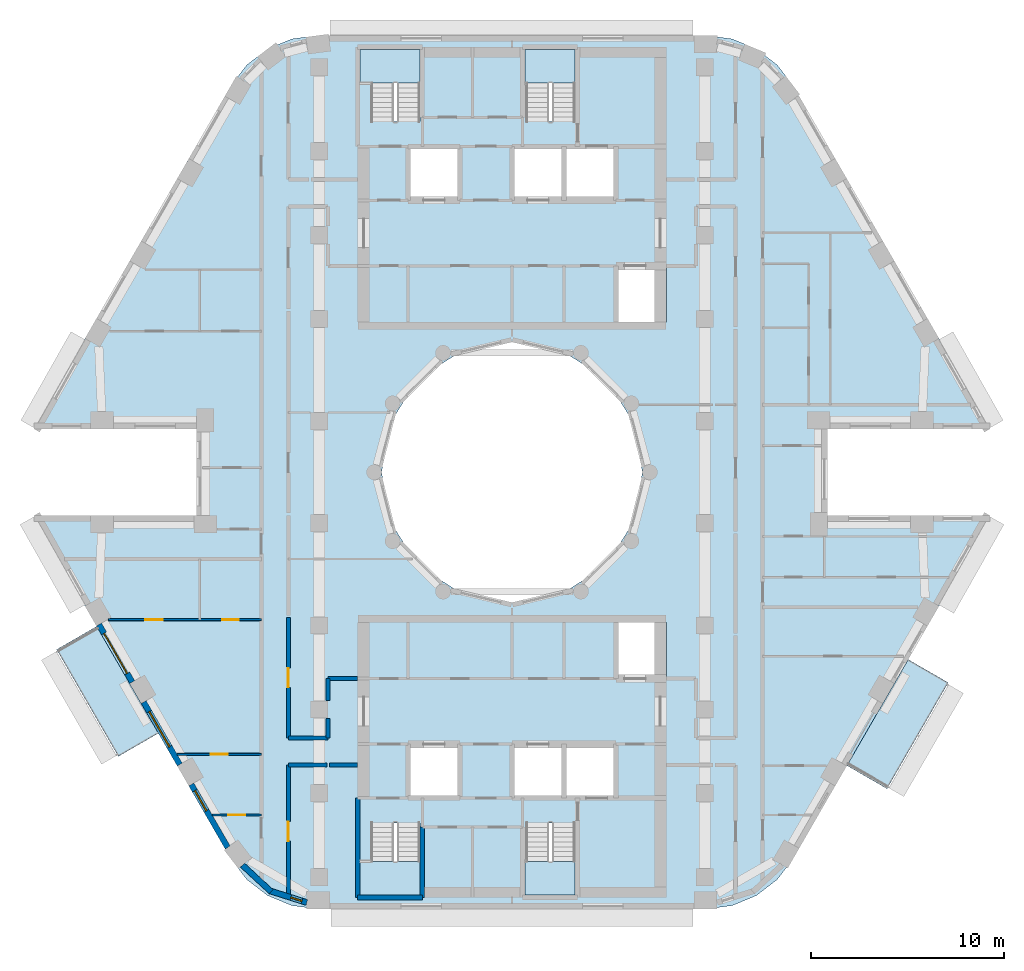
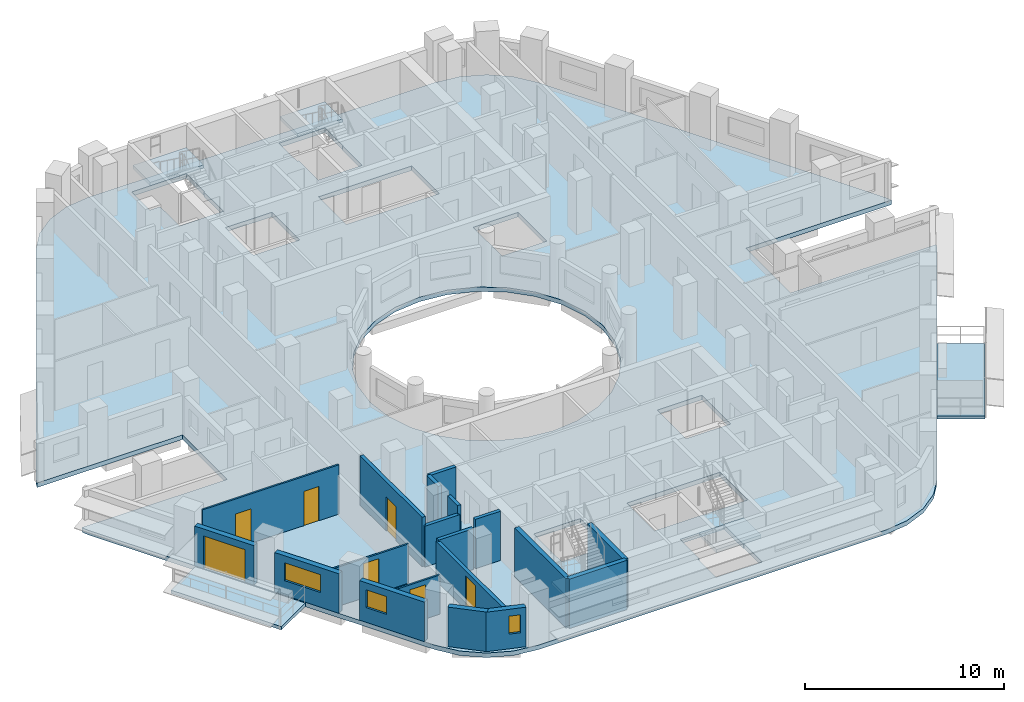
# One storey, part 2 of 16: 19 walls, 7 doors, 7 slabs, 3 windows, 10 openings, 4 elements without a shape of their own.
"""IFC4 building model written with IfcOpenShell, lengths in metres."""

from ifc_helpers import new_model, si_unit, direction, frame, frame_2d, origin, place, context, subcontext, project, spatial, polyline, rectangle, outline, extrude, material, layer, layer_set, type_object, element, fill, aggregate, save


model = new_model("IFC4")

# Units and contexts
model_context = context("Model", 3, precision=1e-05, world=origin(), true_north=direction((0.0, 1.0)))
body_context = subcontext(model_context, "Body", "Model", "MODEL_VIEW")
ifc_project = project(units=[si_unit("LENGTHUNIT", "METRE"), si_unit("AREAUNIT", "SQUARE_METRE"), si_unit("VOLUMEUNIT", "CUBIC_METRE"), si_unit("PLANEANGLEUNIT", "RADIAN"), si_unit("MASSUNIT", "GRAM", prefix="KILO")], contexts=[model_context])

# Site, building, storey
site_placement = place(None, origin())
site = spatial("IfcSite", under=ifc_project, at=site_placement, CompositionType="ELEMENT")
building_placement = place(site_placement, origin())
building = spatial("IfcBuilding", under=site, at=building_placement, Name="Nakaniwa Court", CompositionType="ELEMENT")
storey_placement = place(building_placement, frame((0.0, 0.0, 193.199951171875)))
storey = spatial("IfcBuildingStorey", under=building, at=storey_placement, Name="L50", CompositionType="ELEMENT", Elevation=193.199951171875)

# Slabs
ifc_material_1 = material(Name="Charcoal ceramic paver")
ifc_layer_1 = layer(ifc_material_1, 0.02, Name="Ceramic paver")
ifc_material_2 = material(Name="Cement sand screed")
ifc_layer_2 = layer(ifc_material_2, 0.03, Name="Falls screed")
ifc_material_3 = material(Name="Concrete C40/50", Category="concrete")
ifc_layer_3 = layer(ifc_material_3, 0.15, Name="Balcony slab")
ifc_layer_set_1 = layer_set([ifc_layer_1, ifc_layer_2, ifc_layer_3], Name="Concrete C40/50 balcony slab with ceramic paver finish")
slab_type_1 = type_object("IfcSlabType", Name="Balcony slab 200", PredefinedType="FLOOR", material=ifc_layer_set_1)
slab_1_placement = place(storey_placement, frame((0.0, 0.0, -0.25)))
element("IfcSlab", 1, at=slab_1_placement, inside=storey, type_object=slab_type_1, Name="L50 balcony 01", PredefinedType="FLOOR", context=body_context, shape_type="SweptSolid", body=[
    extrude(outline(polyline([(58.46142578125, 72.005859375), (61.660888671875, 66.464111328125), (59.58251953125, 65.26416015625), (56.383056640625, 70.805908203125), (58.46142578125, 72.005859375)])), origin(), (0.0, 0.0, 1.0), 0.199951171875),
])
slab_2_placement = place(storey_placement, frame((0.0, 0.0, -0.25)))
element("IfcSlab", 2, at=slab_2_placement, inside=storey, type_object=slab_type_1, Name="L50 balcony 02", PredefinedType="FLOOR", context=body_context, shape_type="SweptSolid", body=[
    extrude(outline(polyline([(97.370849609375, 64.787353515625), (100.546875, 70.287841796875), (102.625244140625, 69.087890625), (99.44921875, 63.58740234375), (97.370849609375, 64.787353515625)])), origin(), (0.0, 0.0, 1.0), 0.199951171875),
])
ifc_material_4 = material(Name="Concrete C80/100", Category="concrete")
ifc_layer_4 = layer(ifc_material_4, 0.27490234375)
ifc_layer_set_2 = layer_set([ifc_layer_4], Name="Concrete C80/100")
slab_type_2 = type_object("IfcSlabType", Name="Concrete C80/100 post tensioned floor slab 275", PredefinedType="FLOOR", material=ifc_layer_set_2)
slab_3_placement = place(storey_placement, frame((0.0, 0.0, -0.27490234375)))
element("IfcSlab", 3, at=slab_3_placement, inside=storey, type_object=slab_type_2, Name="FLOOR SLAB", PredefinedType="FLOOR", context=body_context, shape_type="SweptSolid", body=[
    extrude(outline(polyline([(96.349609375, 82.25), (104.7978515625, 82.25), (104.65283203125, 82.60009765625), (94.578125, 100.050048828125), (93.751708984375, 101.126953125), (92.6748046875, 101.953369140625), (91.420654296875, 102.472900390625), (90.07470703125, 102.64990234375), (69.92529296875, 102.64990234375), (68.579345703125, 102.472900390625), (67.3251953125, 101.953369140625), (66.248291015625, 101.126953125), (65.421875, 100.050048828125), (55.34716796875, 82.60009765625), (55.2021484375, 82.25), (63.650390625, 82.25), (63.650390625, 77.75), (55.2021484375, 77.75), (55.34716796875, 77.39990234375), (65.421875, 59.949951171875), (66.248291015625, 58.873046875), (67.3251953125, 58.046630859375), (68.579345703125, 57.527099609375), (69.92529296875, 57.35009765625), (90.07470703125, 57.35009765625), (91.420654296875, 57.527099609375), (92.6748046875, 58.046630859375), (93.751708984375, 58.873046875), (94.578125, 59.949951171875), (104.65283203125, 77.39990234375), (104.7978515625, 77.75), (96.349609375, 77.75), (96.349609375, 82.25)]), holes=[polyline([(81.501953125, 86.580810546875), (80.0, 86.75), (78.498046875, 86.580810546875), (77.0712890625, 86.08154296875), (75.79150390625, 85.27734375), (74.72265625, 84.20849609375), (73.91845703125, 82.9287109375), (73.419189453125, 81.501953125), (73.25, 80.0), (73.419189453125, 78.498046875), (73.91845703125, 77.0712890625), (74.72265625, 75.79150390625), (75.79150390625, 74.72265625), (77.0712890625, 73.91845703125), (78.498046875, 73.419189453125), (80.0, 73.25), (81.501953125, 73.419189453125), (82.9287109375, 73.91845703125), (84.20849609375, 74.72265625), (85.27734375, 75.79150390625), (86.08154296875, 77.0712890625), (86.580810546875, 78.498046875), (86.75, 80.0), (86.580810546875, 81.501953125), (86.08154296875, 82.9287109375), (85.27734375, 84.20849609375), (84.20849609375, 85.27734375), (82.9287109375, 86.08154296875), (81.501953125, 86.580810546875)]), polyline([(72.675048828125, 61.81005859375), (72.675048828125, 59.864990234375), (72.0849609375, 59.864990234375), (72.0849609375, 58.034912109375), (75.264892578125, 58.034912109375), (75.264892578125, 59.864990234375), (75.22509765625, 59.864990234375), (75.22509765625, 61.81005859375), (72.675048828125, 61.81005859375)]), polyline([(77.300048828125, 65.89990234375), (74.60009765625, 65.89990234375), (74.60009765625, 63.10009765625), (77.300048828125, 63.10009765625), (77.300048828125, 65.89990234375)]), polyline([(80.0, 65.89990234375), (80.0, 63.10009765625), (82.699951171875, 63.10009765625), (85.39990234375, 63.10009765625), (85.39990234375, 65.89990234375), (82.699951171875, 65.89990234375), (80.0, 65.89990234375)]), polyline([(77.300048828125, 96.89990234375), (74.60009765625, 96.89990234375), (74.60009765625, 94.10009765625), (77.300048828125, 94.10009765625), (77.300048828125, 96.89990234375)]), polyline([(80.0, 96.89990234375), (80.0, 94.10009765625), (82.699951171875, 94.10009765625), (85.39990234375, 94.10009765625), (85.39990234375, 96.89990234375), (82.699951171875, 96.89990234375), (80.0, 96.89990234375)]), polyline([(75.264892578125, 100.135009765625), (75.264892578125, 101.965087890625), (72.0849609375, 101.965087890625), (72.0849609375, 100.135009765625), (72.675048828125, 100.135009765625), (72.675048828125, 98.18994140625), (75.22509765625, 98.18994140625), (75.22509765625, 100.135009765625), (75.264892578125, 100.135009765625)]), polyline([(83.27490234375, 61.81005859375), (80.72509765625, 61.81005859375), (80.72509765625, 59.864990234375), (80.635009765625, 59.864990234375), (80.635009765625, 58.034912109375), (83.31494140625, 58.034912109375), (83.31494140625, 59.864990234375), (83.27490234375, 59.864990234375), (83.27490234375, 61.81005859375)]), polyline([(88.0, 72.199951171875), (85.39990234375, 72.199951171875), (85.39990234375, 69.300048828125), (88.0, 69.300048828125), (88.0, 72.199951171875)]), polyline([(88.0, 90.699951171875), (85.39990234375, 90.699951171875), (85.39990234375, 87.800048828125), (88.0, 87.800048828125), (88.0, 90.699951171875)]), polyline([(83.31494140625, 100.135009765625), (83.31494140625, 101.965087890625), (80.635009765625, 101.965087890625), (80.635009765625, 100.135009765625), (80.72509765625, 100.135009765625), (80.72509765625, 98.18994140625), (83.27490234375, 98.18994140625), (83.27490234375, 100.135009765625), (83.31494140625, 100.135009765625)])]), origin(), (0.0, 0.0, 1.0), 0.27490234375),
])

# Stair, slab
stair_type = type_object("IfcStairType", Name="Dog leg stair 1200 wide 18 risers", PredefinedType="HALF_TURN_STAIR", material=ifc_material_4)
stair_1_placement = place(storey_placement, origin())
stair_1 = element("IfcStair", 4, at=stair_1_placement, inside=storey, type_object=stair_type, Name="L50 Stair ST1", PredefinedType="HALF_TURN_STAIR")
ifc_layer_5 = layer(ifc_material_4, 0.199951171875)
ifc_layer_set_3 = layer_set([ifc_layer_5], Name="Concrete C80/100")
slab_type_3 = type_object("IfcSlabType", Name="Stair landing concrete", PredefinedType="LANDING", material=ifc_layer_set_3)
slab_4_placement = place(storey_placement, frame((0.0, 0.0, 1.449951171875)))
slab_4 = element("IfcSlab", 5, at=slab_4_placement, type_object=slab_type_3, Name="ST1 landing 1", PredefinedType="LANDING", context=body_context, shape_type="SweptSolid", body=[
    extrude(outline(polyline([(75.22509765625, 100.175048828125), (75.22509765625, 101.925048828125), (72.125, 101.925048828125), (72.125, 100.175048828125), (75.22509765625, 100.175048828125)])), origin(), (0.0, 0.0, 1.0), 0.2001953125),
])
aggregate(stair_1, [slab_4])

stair_2_placement = place(storey_placement, origin())
stair_2 = element("IfcStair", 6, at=stair_2_placement, inside=storey, type_object=stair_type, Name="L50 Stair ST2", PredefinedType="HALF_TURN_STAIR")
slab_5_placement = place(storey_placement, frame((0.0, 0.0, 1.449951171875)))
slab_5 = element("IfcSlab", 7, at=slab_5_placement, type_object=slab_type_3, Name="ST2 landing 1", PredefinedType="LANDING", context=body_context, shape_type="SweptSolid", body=[
    extrude(outline(polyline([(83.27490234375, 100.175048828125), (83.27490234375, 101.925048828125), (80.675048828125, 101.925048828125), (80.675048828125, 100.175048828125), (83.27490234375, 100.175048828125)])), origin(), (0.0, 0.0, 1.0), 0.2001953125),
])
aggregate(stair_2, [slab_5])

stair_3_placement = place(storey_placement, origin())
stair_3 = element("IfcStair", 8, at=stair_3_placement, inside=storey, type_object=stair_type, Name="L50 Stair ST3", PredefinedType="HALF_TURN_STAIR")
slab_6_placement = place(storey_placement, frame((0.0, 0.0, 1.449951171875)))
slab_6 = element("IfcSlab", 9, at=slab_6_placement, type_object=slab_type_3, Name="ST3 landing 1", PredefinedType="LANDING", context=body_context, shape_type="SweptSolid", body=[
    extrude(outline(polyline([(75.22509765625, 58.074951171875), (75.22509765625, 59.824951171875), (72.125, 59.824951171875), (72.125, 58.074951171875), (75.22509765625, 58.074951171875)])), origin(), (0.0, 0.0, 1.0), 0.2001953125),
])
aggregate(stair_3, [slab_6])

stair_4_placement = place(storey_placement, origin())
stair_4 = element("IfcStair", 10, at=stair_4_placement, inside=storey, type_object=stair_type, Name="L50 Stair ST4", PredefinedType="HALF_TURN_STAIR")
slab_7_placement = place(storey_placement, frame((0.0, 0.0, 1.449951171875)))
slab_7 = element("IfcSlab", 11, at=slab_7_placement, type_object=slab_type_3, Name="ST4 landing 1", PredefinedType="LANDING", context=body_context, shape_type="SweptSolid", body=[
    extrude(outline(polyline([(83.27490234375, 58.074951171875), (83.27490234375, 59.824951171875), (80.675048828125, 59.824951171875), (80.675048828125, 58.074951171875), (83.27490234375, 58.074951171875)])), origin(), (0.0, 0.0, 1.0), 0.2001953125),
])
aggregate(stair_4, [slab_7])

# Walls
ifc_material_5 = material(Name="Acoustic double stud partition")
ifc_layer_6 = layer(ifc_material_5, 0.199951171875)
ifc_layer_set_4 = layer_set([ifc_layer_6], Name="Acoustic double stud partition")
wall_type_1 = type_object("IfcWallType", Name="Acoustic double stud partition 200", PredefinedType="PARTITIONING", material=ifc_layer_set_4)
wall_1_placement = place(storey_placement, frame((68.39990234375, 64.824951171875, 0.0), z_axis=(0.0, 0.0, 1.0), x_axis=(1.0, 0.0, 0.0)))
element("IfcWall", 12, at=wall_1_placement, inside=storey, type_object=wall_type_1, Name="Partition PW-075", PredefinedType="PARTITIONING", context=body_context, shape_type="SweptSolid", body=[
    extrude(rectangle(XDim=2.012939453125, YDim=0.199951171875, at=frame_2d((1.00634765625, 0.0))), origin(), (0.0, 0.0, 1.0), 2.505126953125),
])
wall_2_placement = place(storey_placement, frame((70.527099609375, 64.824951171875, 0.0), z_axis=(0.0, 0.0, 1.0), x_axis=(1.0, 0.0, 0.0)))
element("IfcWall", 13, at=wall_2_placement, inside=storey, type_object=wall_type_1, Name="Partition PW-076", PredefinedType="PARTITIONING", context=body_context, shape_type="SweptSolid", body=[
    extrude(rectangle(XDim=1.472900390625, YDim=0.199951171875, at=frame_2d((0.736328125, 0.0))), origin(), (0.0, 0.0, 1.0), 3.025146484375),
])
wall_3_placement = place(storey_placement, frame((70.449951171875, 69.300048828125, 0.0), z_axis=(0.0, 0.0, 1.0), x_axis=(1.0, 0.0, 0.0)))
element("IfcWall", 14, at=wall_3_placement, inside=storey, type_object=wall_type_1, Name="Partition PW-080", PredefinedType="PARTITIONING", context=body_context, shape_type="SweptSolid", body=[
    extrude(rectangle(XDim=1.550048828125, YDim=0.199951171875, at=frame_2d((0.77490234375, 0.0))), origin(), (0.0, 0.0, 1.0), 3.025146484375),
])
wall_4_placement = place(storey_placement, frame((68.39990234375, 66.22509765625, 0.0), z_axis=(0.0, 0.0, 1.0), x_axis=(1.0, 0.0, 0.0)))
element("IfcWall", 15, at=wall_4_placement, inside=storey, type_object=wall_type_1, Name="Partition PW-086", PredefinedType="PARTITIONING", context=body_context, shape_type="SweptSolid", body=[
    extrude(rectangle(XDim=2.050048828125, YDim=0.199951171875, at=frame_2d((1.02490234375, 0.0))), origin(), (0.0, 0.0, 1.0), 2.505126953125),
])

# Wall, opening, door
wall_5_placement = place(storey_placement, frame((68.39990234375, 64.824951171875, 0.0), z_axis=(0.0, 0.0, 1.0), x_axis=(0.0, -1.0, 0.0)))
wall_5 = element("IfcWall", 16, at=wall_5_placement, inside=storey, type_object=wall_type_1, Name="Partition PW-096", PredefinedType="PARTITIONING", context=body_context, shape_type="SweptSolid", body=[
    extrude(rectangle(XDim=6.898681640625, YDim=0.199951171875, at=frame_2d((3.44921875, 0.0))), origin(), (0.0, 0.0, 1.0), 2.405029296875),
])
opening_1_placement = place(wall_5_placement, frame((2.949951171875, 0.0, 0.0)))
opening_1 = element("IfcOpeningElement", 17, at=opening_1_placement, cuts=wall_5, Name="Opening D-02-05", PredefinedType="OPENING", context=body_context, shape_type="SweptSolid", body=[
    extrude(rectangle(XDim=1.0, YDim=2.10009765625, at=frame_2d((0.5, 1.050048828125))), frame((0.0, 0.10986328125, 0.0), z_axis=(0.0, -1.0, 0.0), x_axis=(1.0, 0.0, 0.0)), (0.0, 0.0, 1.0), 0.219970703125),
])
ifc_material_6 = material(Name="Solid core timber door set, black veneer", Category="wood")
door_type_1 = type_object("IfcDoorType", Name="Internal door 1000", OperationType="NOTDEFINED", PredefinedType="DOOR", material=ifc_material_6)
door_1_placement = place(opening_1_placement, origin())
door_1 = element("IfcDoor", 18, at=door_1_placement, inside=storey, type_object=door_type_1, Name="Door D-02-05 L50-042", OperationType="SINGLE_SWING_LEFT", OverallHeight=2.10009765625, OverallWidth=1.0, PredefinedType="DOOR", context=body_context, shape_type="SweptSolid", body=[
    extrude(rectangle(XDim=1.0, YDim=2.10009765625, at=frame_2d((0.5, 1.050048828125))), frame((0.0, 0.02490234375, 0.0), z_axis=(0.0, -1.0, 0.0), x_axis=(1.0, 0.0, 0.0)), (0.0, 0.0, 1.0), 0.050048828125),
])
fill(opening_1, door_1)

wall_6_placement = place(storey_placement, frame((68.39990234375, 72.462890625, 0.0), z_axis=(0.0, 0.0, 1.0), x_axis=(0.0, -1.0, 0.0)))
wall_6 = element("IfcWall", 19, at=wall_6_placement, inside=storey, type_object=wall_type_1, Name="Partition PW-097", PredefinedType="PARTITIONING", context=body_context, shape_type="SweptSolid", body=[
    extrude(rectangle(XDim=6.23779296875, YDim=0.199951171875, at=frame_2d((3.118896484375, 0.0))), origin(), (0.0, 0.0, 1.0), 3.025146484375),
])
opening_2_placement = place(wall_6_placement, frame((2.6201171875, 0.0, 0.0)))
opening_2 = element("IfcOpeningElement", 20, at=opening_2_placement, cuts=wall_6, Name="Opening D-02-06", PredefinedType="OPENING", context=body_context, shape_type="SweptSolid", body=[
    extrude(rectangle(XDim=1.0, YDim=2.10009765625, at=frame_2d((0.5, 1.050048828125))), frame((0.0, 0.10986328125, 0.0), z_axis=(0.0, -1.0, 0.0), x_axis=(1.0, 0.0, 0.0)), (0.0, 0.0, 1.0), 0.219970703125),
])
door_2_placement = place(opening_2_placement, origin())
door_2 = element("IfcDoor", 21, at=door_2_placement, inside=storey, type_object=door_type_1, Name="Door D-02-06 L50-048", OperationType="SINGLE_SWING_LEFT", OverallHeight=2.10009765625, OverallWidth=1.0, PredefinedType="DOOR", context=body_context, shape_type="SweptSolid", body=[
    extrude(rectangle(XDim=1.0, YDim=2.10009765625, at=frame_2d((0.5, 1.050048828125))), frame((0.0, 0.02490234375, 0.0), z_axis=(0.0, -1.0, 0.0), x_axis=(1.0, 0.0, 0.0)), (0.0, 0.0, 1.0), 0.050048828125),
])
fill(opening_2, door_2)

# Walls
wall_7_placement = place(storey_placement, frame((70.449951171875, 66.22509765625, 0.0), z_axis=(0.0, 0.0, 1.0), x_axis=(0.0, 1.0, 0.0)))
element("IfcWall", 22, at=wall_7_placement, inside=storey, type_object=wall_type_1, Name="Partition PW-103", PredefinedType="PARTITIONING", context=body_context, shape_type="SweptSolid", body=[
    extrude(rectangle(XDim=1.0078125, YDim=0.199951171875, at=frame_2d((0.50390625, 0.0))), origin(), (0.0, 0.0, 1.0), 3.025146484375),
])
wall_8_placement = place(storey_placement, frame((70.449951171875, 68.167236328125, 0.0), z_axis=(0.0, 0.0, 1.0), x_axis=(0.0, 1.0, 0.0)))
element("IfcWall", 23, at=wall_8_placement, inside=storey, type_object=wall_type_1, Name="Partition PW-104", PredefinedType="PARTITIONING", context=body_context, shape_type="SweptSolid", body=[
    extrude(rectangle(XDim=1.1328125, YDim=0.199951171875, at=frame_2d((0.56640625, 0.0))), origin(), (0.0, 0.0, 1.0), 3.025146484375),
])

# Wall, opening, door
ifc_material_7 = material(Name="Charcoal ceramic cladding")
ifc_layer_7 = layer(ifc_material_7, 0.02, Name="Ceramic cladding")
ifc_material_8 = material(Name="Ventilated air cavity")
ifc_layer_8 = layer(ifc_material_8, 0.04, ventilated=True, Name="Ventilated cavity")
ifc_material_9 = material(Name="Mineral wool insulation")
ifc_layer_9 = layer(ifc_material_9, 0.1, Name="Insulation")
ifc_material_10 = material(Name="Cement bonded sheathing board")
ifc_layer_10 = layer(ifc_material_10, 0.012, Name="Sheathing")
ifc_material_11 = material(Name="Cold-formed galvanised stud frame with mineral wool infill")
ifc_layer_11 = layer(ifc_material_11, 0.1, Name="Stud frame")
ifc_material_12 = material(Name="Fire-rated gypsum plasterboard lining")
ifc_layer_12 = layer(ifc_material_12, 0.028, Name="Lining")
ifc_layer_set_5 = layer_set([ifc_layer_7, ifc_layer_8, ifc_layer_9, ifc_layer_10, ifc_layer_11, ifc_layer_12], Name="Charcoal ceramic faced external wall system")
wall_type_2 = type_object("IfcWallType", Name="Black ceramic faced external wall 300", PredefinedType="SOLIDWALL", material=ifc_layer_set_5)
wall_9_placement = place(storey_placement, frame((58.579345703125, 72.101806640625, 0.0), z_axis=(0.0, 0.0, 1.0), x_axis=(0.499955427682, -0.866051136095, 0.0)))
wall_9 = element("IfcWall", 24, at=wall_9_placement, inside=storey, type_object=wall_type_2, Name="L50 external wall 21", PredefinedType="SOLIDWALL", context=body_context, shape_type="SweptSolid", body=[
    extrude(rectangle(XDim=3.447021484375, YDim=0.300048828125, at=frame_2d((1.7236328125, 0.0))), origin(), (0.0, 0.0, 1.0), 2.425048828125),
])
opening_3_placement = place(wall_9_placement, frame((0.5234375, 0.0, 0.0)))
opening_3 = element("IfcOpeningElement", 25, at=opening_3_placement, cuts=wall_9, Name="Opening XD13.01", PredefinedType="OPENING", context=body_context, shape_type="SweptSolid", body=[
    extrude(rectangle(XDim=2.39990234375, YDim=2.0, at=frame_2d((1.199951171875, 1.0))), frame((0.0, 0.159912109375, 0.0), z_axis=(0.0, -1.0, 0.0), x_axis=(1.0, 0.0, 0.0)), (0.0, 0.0, 1.0), 0.320068359375),
])
ifc_material_13 = material(Name="Black powder-coated aluminium frame with dark laminated glass", Category="aluminium")
door_type_2 = type_object("IfcDoorType", Name="Balcony sliding door 2400x2000", OperationType="DOUBLE_DOOR_SLIDING", PredefinedType="DOOR", material=ifc_material_13)
door_3_placement = place(opening_3_placement, origin())
door_3 = element("IfcDoor", 26, at=door_3_placement, inside=storey, type_object=door_type_2, Name="L50 balcony sliding door 01", OperationType="DOUBLE_DOOR_SLIDING", OverallHeight=2.0, OverallWidth=2.39990234375, PredefinedType="DOOR", context=body_context, shape_type="SweptSolid", body=[
    extrude(rectangle(XDim=2.39990234375, YDim=2.0, at=frame_2d((1.199951171875, 1.0))), frame((0.0, 0.02490234375, 0.0), z_axis=(0.0, -1.0, 0.0), x_axis=(1.0, 0.0, 0.0)), (0.0, 0.0, 1.0), 0.050048828125),
])
fill(opening_3, door_3)

# Wall, opening, window
wall_10_placement = place(storey_placement, frame((60.898681640625, 68.083984375, 0.0), z_axis=(0.0, 0.0, 1.0), x_axis=(0.500059225181, -0.86599120741, 0.0)))
wall_10 = element("IfcWall", 27, at=wall_10_placement, inside=storey, type_object=wall_type_2, Name="L50 external wall 22", PredefinedType="SOLIDWALL", context=body_context, shape_type="SweptSolid", body=[
    extrude(rectangle(XDim=3.744140625, YDim=0.300048828125, at=frame_2d((1.8720703125, 0.0))), origin(), (0.0, 0.0, 1.0), 2.425048828125),
])
opening_4_placement = place(wall_10_placement, frame((0.57861328125, 0.0, 0.89990234375)))
opening_4 = element("IfcOpeningElement", 28, at=opening_4_placement, cuts=wall_10, Name="Opening W7.23", PredefinedType="OPENING", context=body_context, shape_type="SweptSolid", body=[
    extrude(rectangle(XDim=2.10009765625, YDim=1.10009765625, at=frame_2d((1.050048828125, 0.550048828125))), frame((0.0, 0.159912109375, 0.0), z_axis=(0.0, -1.0, 0.0), x_axis=(1.0, 0.0, 0.0)), (0.0, 0.0, 1.0), 0.320068359375),
])
ifc_material_14 = material(Name="Black anodised aluminium frame with dark low-E laminated double glazing", Category="aluminium")
window_type_1 = type_object("IfcWindowType", Name="Dark glass window 2100x1100 sill 900", PartitioningType="SINGLE_PANEL", PredefinedType="WINDOW", material=ifc_material_14)
window_1_placement = place(opening_4_placement, origin())
window_1 = element("IfcWindow", 29, at=window_1_placement, inside=storey, type_object=window_type_1, Name="L50 living window 22-0", OverallHeight=1.10009765625, OverallWidth=2.10009765625, PartitioningType="SINGLE_PANEL", PredefinedType="WINDOW", context=body_context, shape_type="SweptSolid", body=[
    extrude(rectangle(XDim=2.10009765625, YDim=1.10009765625, at=frame_2d((1.050048828125, 0.550048828125))), frame((0.0, 0.030029296875, 0.0), z_axis=(0.0, -1.0, 0.0), x_axis=(1.0, 0.0, 0.0)), (0.0, 0.0, 1.0), 0.06005859375),
])
fill(opening_4, window_1)

wall_11_placement = place(storey_placement, frame((63.366943359375, 63.809326171875, 0.0), z_axis=(0.0, 0.0, 1.0), x_axis=(0.499961087031, -0.866047869032, 0.0)))
wall_11 = element("IfcWall", 30, at=wall_11_placement, inside=storey, type_object=wall_type_2, Name="L50 external wall 23", PredefinedType="SOLIDWALL", context=body_context, shape_type="SweptSolid", body=[
    extrude(rectangle(XDim=3.778564453125, YDim=0.300048828125, at=frame_2d((1.88916015625, 0.0))), origin(), (0.0, 0.0, 1.0), 2.425048828125),
])
opening_5_placement = place(wall_11_placement, frame((0.375732421875, 0.0, 0.89990234375)))
opening_5 = element("IfcOpeningElement", 31, at=opening_5_placement, cuts=wall_11, Name="Opening W6.24", PredefinedType="OPENING", context=body_context, shape_type="SweptSolid", body=[
    extrude(rectangle(XDim=1.199951171875, YDim=1.10009765625, at=frame_2d((0.60009765625, 0.550048828125))), frame((0.0, 0.159912109375, 0.0), z_axis=(0.0, -1.0, 0.0), x_axis=(1.0, 0.0, 0.0)), (0.0, 0.0, 1.0), 0.320068359375),
])
window_type_2 = type_object("IfcWindowType", Name="Dark glass window 1200x1100 sill 900", PartitioningType="SINGLE_PANEL", PredefinedType="WINDOW", material=ifc_material_14)
window_2_placement = place(opening_5_placement, origin())
window_2 = element("IfcWindow", 32, at=window_2_placement, inside=storey, type_object=window_type_2, Name="L50 habitable room window 23-0", OverallHeight=1.10009765625, OverallWidth=1.199951171875, PartitioningType="SINGLE_PANEL", PredefinedType="WINDOW", context=body_context, shape_type="SweptSolid", body=[
    extrude(rectangle(XDim=1.199951171875, YDim=1.10009765625, at=frame_2d((0.60009765625, 0.550048828125))), frame((0.0, 0.030029296875, 0.0), z_axis=(0.0, -1.0, 0.0), x_axis=(1.0, 0.0, 0.0)), (0.0, 0.0, 1.0), 0.06005859375),
])
fill(opening_5, window_2)

# Wall
wall_12_placement = place(storey_placement, frame((66.0224609375, 59.622314453125, 0.0), z_axis=(0.0, 0.0, 1.0), x_axis=(0.734627852992, -0.678470277616, 0.0)))
element("IfcWall", 33, at=wall_12_placement, inside=storey, type_object=wall_type_2, Name="L50 external wall 24", PredefinedType="SOLIDWALL", context=body_context, shape_type="SweptSolid", body=[
    extrude(rectangle(XDim=2.02587890625, YDim=0.300048828125, at=frame_2d((1.012939453125, 0.0))), origin(), (0.0, 0.0, 1.0), 2.425048828125),
])

# Wall, opening, window
wall_13_placement = place(storey_placement, frame((67.40576171875, 58.3017578125, 0.0), z_axis=(0.0, 0.0, 1.0), x_axis=(0.953537608367, -0.301274010545, 0.0)))
wall_13 = element("IfcWall", 34, at=wall_13_placement, inside=storey, type_object=wall_type_2, Name="L50 external wall 25", PredefinedType="SOLIDWALL", context=body_context, shape_type="SweptSolid", body=[
    extrude(rectangle(XDim=2.0478515625, YDim=0.300048828125, at=frame_2d((1.02392578125, 0.0))), origin(), (0.0, 0.0, 1.0), 2.425048828125),
])
opening_6_placement = place(wall_13_placement, frame((1.1796875, 0.0, 0.89990234375)))
opening_6 = element("IfcOpeningElement", 35, at=opening_6_placement, cuts=wall_13, Name="Opening W8.25", PredefinedType="OPENING", context=body_context, shape_type="SweptSolid", body=[
    extrude(rectangle(XDim=0.60009765625, YDim=1.10009765625, at=frame_2d((0.300048828125, 0.550048828125))), frame((0.0, 0.159912109375, 0.0), z_axis=(0.0, -1.0, 0.0), x_axis=(1.0, 0.0, 0.0)), (0.0, 0.0, 1.0), 0.320068359375),
])
window_type_3 = type_object("IfcWindowType", Name="Dark glass window 600x1100 sill 900", PartitioningType="SINGLE_PANEL", PredefinedType="WINDOW", material=ifc_material_14)
window_3_placement = place(opening_6_placement, origin())
window_3 = element("IfcWindow", 36, at=window_3_placement, inside=storey, type_object=window_type_3, Name="L50 habitable room window 25-1", OverallHeight=1.10009765625, OverallWidth=0.60009765625, PartitioningType="SINGLE_PANEL", PredefinedType="WINDOW", context=body_context, shape_type="SweptSolid", body=[
    extrude(rectangle(XDim=0.60009765625, YDim=1.10009765625, at=frame_2d((0.300048828125, 0.550048828125))), frame((0.0, 0.030029296875, 0.0), z_axis=(0.0, -1.0, 0.0), x_axis=(1.0, 0.0, 0.0)), (0.0, 0.0, 1.0), 0.06005859375),
])
fill(opening_6, window_3)

# Walls
ifc_layer_13 = layer(ifc_material_4, 0.25)
ifc_layer_set_6 = layer_set([ifc_layer_13], Name="Concrete C80/100")
wall_type_3 = type_object("IfcWallType", Name="Concrete core wall 250 C80", PredefinedType="SHEAR", material=ifc_layer_set_6)
wall_14_placement = place(storey_placement, frame((72.0, 57.949951171875, -0.27490234375), z_axis=(0.0, 0.0, 1.0), x_axis=(0.0, 1.0, 0.0)))
element("IfcWall", 37, at=wall_14_placement, inside=storey, type_object=wall_type_3, Name="Core wall SW-59", PredefinedType="SHEAR", context=body_context, shape_type="SweptSolid", body=[
    extrude(rectangle(XDim=5.150146484375, YDim=0.25, at=frame_2d((2.5751953125, 0.0))), origin(), (0.0, 0.0, 1.0), 3.300048828125),
])
wall_15_placement = place(storey_placement, frame((72.0, 57.949951171875, -0.27490234375), z_axis=(0.0, 0.0, 1.0), x_axis=(1.0, 0.0, 0.0)))
element("IfcWall", 38, at=wall_15_placement, inside=storey, type_object=wall_type_3, Name="Core wall SW-60", PredefinedType="SHEAR", context=body_context, shape_type="SweptSolid", body=[
    extrude(rectangle(XDim=3.35009765625, YDim=0.25, at=frame_2d((1.675048828125, 0.0))), origin(), (0.0, 0.0, 1.0), 3.300048828125),
])
ifc_layer_14 = layer(ifc_material_4, 0.25)
ifc_layer_set_7 = layer_set([ifc_layer_14], Name="Concrete C80/100")
wall_type_4 = type_object("IfcWallType", Name="Concrete shaft wall 250 C80", PredefinedType="SHEAR", material=ifc_layer_set_7)
wall_16_placement = place(storey_placement, frame((75.35009765625, 57.949951171875, -0.27490234375), z_axis=(0.0, 0.0, 1.0), x_axis=(0.0, 1.0, 0.0)))
element("IfcWall", 39, at=wall_16_placement, inside=storey, type_object=wall_type_4, Name="Core wall SW-58", PredefinedType="SHEAR", context=body_context, shape_type="SweptSolid", body=[
    extrude(rectangle(XDim=3.653076171875, YDim=0.25, at=frame_2d((1.82666015625, 0.0))), origin(), (0.0, 0.0, 1.0), 3.300048828125),
])

# Wall, opening, door
ifc_material_15 = material(Name="Single stud plasterboard partition")
ifc_layer_15 = layer(ifc_material_15, 0.10009765625)
ifc_layer_set_8 = layer_set([ifc_layer_15], Name="Single stud plasterboard partition")
wall_type_5 = type_object("IfcWallType", Name="Single stud plasterboard partition 100", PredefinedType="PARTITIONING", material=ifc_layer_set_8)
wall_17_placement = place(storey_placement, frame((64.454833984375, 62.22509765625, 0.0), z_axis=(0.0, 0.0, 1.0), x_axis=(1.0, 0.0, 0.0)))
wall_17 = element("IfcWall", 40, at=wall_17_placement, inside=storey, type_object=wall_type_5, Name="Partition PW-111", PredefinedType="PARTITIONING", context=body_context, shape_type="SweptSolid", body=[
    extrude(rectangle(XDim=2.544189453125, YDim=0.10009765625, at=frame_2d((1.27197265625, 0.0))), origin(), (0.0, 0.0, 1.0), 2.405029296875),
])
opening_7_placement = place(wall_17_placement, frame((0.822021484375, 0.0, 0.0)))
opening_7 = element("IfcOpeningElement", 41, at=opening_7_placement, cuts=wall_17, Name="Opening D-33-08", PredefinedType="OPENING", context=body_context, shape_type="SweptSolid", body=[
    extrude(rectangle(XDim=0.89990234375, YDim=2.10009765625, at=frame_2d((0.449951171875, 1.050048828125))), frame((0.0, 0.06005859375, 0.0), z_axis=(0.0, -1.0, 0.0), x_axis=(1.0, 0.0, 0.0)), (0.0, 0.0, 1.0), 0.1201171875),
])
door_type_3 = type_object("IfcDoorType", Name="Internal door 900", OperationType="NOTDEFINED", PredefinedType="DOOR", material=ifc_material_6)
door_4_placement = place(opening_7_placement, origin())
door_4 = element("IfcDoor", 42, at=door_4_placement, inside=storey, type_object=door_type_3, Name="Door D-33-08 L50-044", OperationType="SINGLE_SWING_LEFT", OverallHeight=2.10009765625, OverallWidth=0.89990234375, PredefinedType="DOOR", context=body_context, shape_type="SweptSolid", body=[
    extrude(rectangle(XDim=0.89990234375, YDim=2.10009765625, at=frame_2d((0.449951171875, 1.050048828125))), frame((0.0, 0.02490234375, 0.0), z_axis=(0.0, -1.0, 0.0), x_axis=(1.0, 0.0, 0.0)), (0.0, 0.0, 1.0), 0.050048828125),
])
fill(opening_7, door_4)

wall_18_placement = place(storey_placement, frame((62.639404296875, 65.368896484375, 0.0), z_axis=(0.0, 0.0, 1.0), x_axis=(1.0, 0.0, 0.0)))
wall_18 = element("IfcWall", 43, at=wall_18_placement, inside=storey, type_object=wall_type_5, Name="Partition PW-128", PredefinedType="PARTITIONING", context=body_context, shape_type="SweptSolid", body=[
    extrude(rectangle(XDim=4.359619140625, YDim=0.10009765625, at=frame_2d((2.1796875, 0.0))), origin(), (0.0, 0.0, 1.0), 2.405029296875),
])
opening_8_placement = place(wall_18_placement, frame((1.72998046875, 0.0, 0.0)))
opening_8 = element("IfcOpeningElement", 44, at=opening_8_placement, cuts=wall_18, Name="Opening D-33-09", PredefinedType="OPENING", context=body_context, shape_type="SweptSolid", body=[
    extrude(rectangle(XDim=0.89990234375, YDim=2.10009765625, at=frame_2d((0.449951171875, 1.050048828125))), frame((0.0, 0.06005859375, 0.0), z_axis=(0.0, -1.0, 0.0), x_axis=(1.0, 0.0, 0.0)), (0.0, 0.0, 1.0), 0.1201171875),
])
door_5_placement = place(opening_8_placement, origin())
door_5 = element("IfcDoor", 45, at=door_5_placement, inside=storey, type_object=door_type_3, Name="Door D-33-09 L50-045", OperationType="SINGLE_SWING_RIGHT", OverallHeight=2.10009765625, OverallWidth=0.89990234375, PredefinedType="DOOR", context=body_context, shape_type="SweptSolid", body=[
    extrude(rectangle(XDim=0.89990234375, YDim=2.10009765625, at=frame_2d((0.449951171875, 1.050048828125))), frame((0.0, 0.02490234375, 0.0), z_axis=(0.0, -1.0, 0.0), x_axis=(1.0, 0.0, 0.0)), (0.0, 0.0, 1.0), 0.050048828125),
])
fill(opening_8, door_5)

# Wall, openings, doors
wall_19_placement = place(storey_placement, frame((59.067626953125, 72.35595703125, 0.0), z_axis=(0.0, 0.0, 1.0), x_axis=(1.0, 0.0, 0.0)))
wall_19 = element("IfcWall", 46, at=wall_19_placement, inside=storey, type_object=wall_type_5, Name="Partition PW-129", PredefinedType="PARTITIONING", context=body_context, shape_type="SweptSolid", body=[
    extrude(rectangle(XDim=7.931396484375, YDim=0.10009765625, at=frame_2d((3.9658203125, 0.0))), origin(), (0.0, 0.0, 1.0), 3.025146484375),
])
opening_9_placement = place(wall_19_placement, frame((5.906005859375, 0.0, 0.0)))
opening_9 = element("IfcOpeningElement", 47, at=opening_9_placement, cuts=wall_19, Name="Opening D-03-04", PredefinedType="OPENING", context=body_context, shape_type="SweptSolid", body=[
    extrude(rectangle(XDim=0.85009765625, YDim=2.10009765625, at=frame_2d((0.425048828125, 1.050048828125))), frame((0.0, 0.06005859375, 0.0), z_axis=(0.0, -1.0, 0.0), x_axis=(1.0, 0.0, 0.0)), (0.0, 0.0, 1.0), 0.1201171875),
])
opening_10_placement = place(wall_19_placement, frame((1.916015625, 0.0, 0.0)))
opening_10 = element("IfcOpeningElement", 48, at=opening_10_placement, cuts=wall_19, Name="Opening D-33-10", PredefinedType="OPENING", context=body_context, shape_type="SweptSolid", body=[
    extrude(rectangle(XDim=0.89990234375, YDim=2.10009765625, at=frame_2d((0.449951171875, 1.050048828125))), frame((0.0, 0.06005859375, 0.0), z_axis=(0.0, -1.0, 0.0), x_axis=(1.0, 0.0, 0.0)), (0.0, 0.0, 1.0), 0.1201171875),
])
ifc_material_16 = material(Name="Moisture sealed timber door set", Category="wood")
door_type_4 = type_object("IfcDoorType", Name="Bathroom door 850", OperationType="NOTDEFINED", PredefinedType="DOOR", material=ifc_material_16)
door_6_placement = place(opening_9_placement, origin())
door_6 = element("IfcDoor", 49, at=door_6_placement, inside=storey, type_object=door_type_4, Name="Door D-03-04 L50-046", OperationType="SINGLE_SWING_LEFT", OverallHeight=2.10009765625, OverallWidth=0.85009765625, PredefinedType="DOOR", context=body_context, shape_type="SweptSolid", body=[
    extrude(rectangle(XDim=0.85009765625, YDim=2.10009765625, at=frame_2d((0.425048828125, 1.050048828125))), frame((0.0, 0.02490234375, 0.0), z_axis=(0.0, -1.0, 0.0), x_axis=(1.0, 0.0, 0.0)), (0.0, 0.0, 1.0), 0.050048828125),
])
fill(opening_9, door_6)
door_7_placement = place(opening_10_placement, origin())
door_7 = element("IfcDoor", 50, at=door_7_placement, inside=storey, type_object=door_type_3, Name="Door D-33-10 L50-047", OperationType="SINGLE_SWING_RIGHT", OverallHeight=2.10009765625, OverallWidth=0.89990234375, PredefinedType="DOOR", context=body_context, shape_type="SweptSolid", body=[
    extrude(rectangle(XDim=0.89990234375, YDim=2.10009765625, at=frame_2d((0.449951171875, 1.050048828125))), frame((0.0, 0.02490234375, 0.0), z_axis=(0.0, -1.0, 0.0), x_axis=(1.0, 0.0, 0.0)), (0.0, 0.0, 1.0), 0.050048828125),
])
fill(opening_10, door_7)

save(model, "model.ifc")
